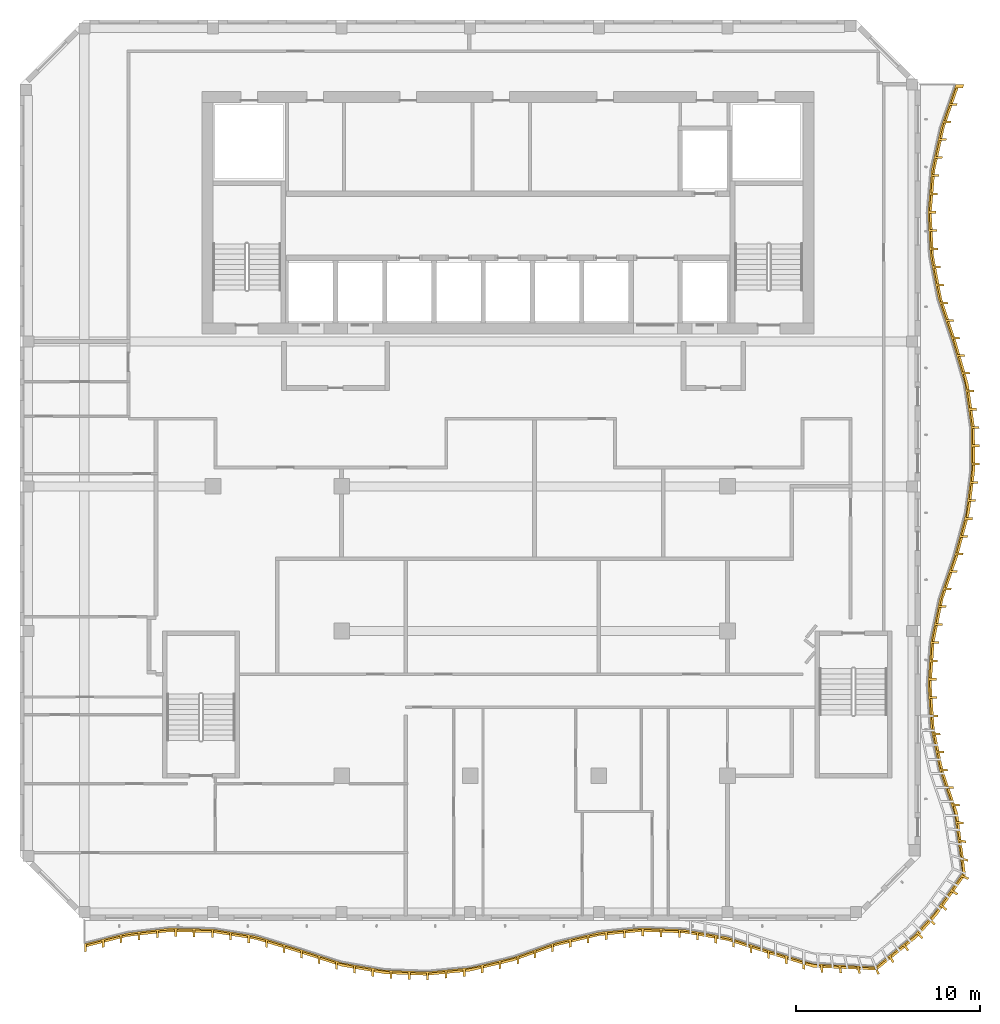
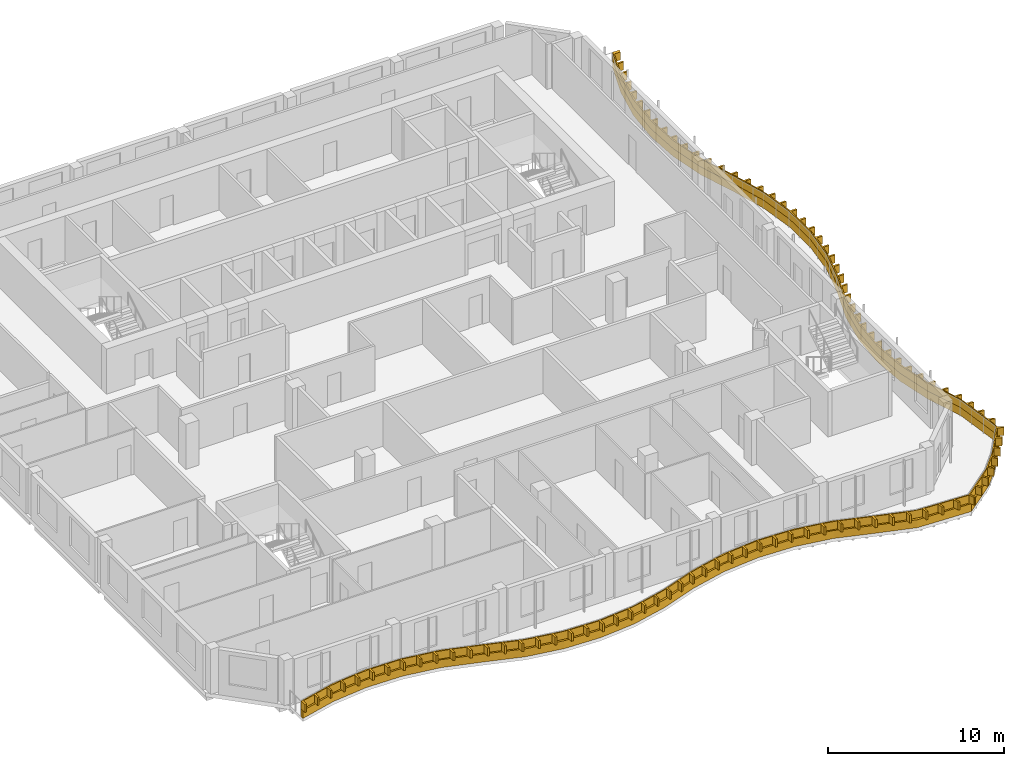
# One storey, part 12 of 17: 2 shading devices.
"""IFC4 building model written with IfcOpenShell, lengths in metres."""

import ifcopenshell
import ifcopenshell.guid

model = None  # the IFC model being written
_history = None  # IfcOwnerHistory: only IFC2X3 demands one
_inside = {}  # id of a spatial element -> (the spatial element, [elements in it])
_under = {}  # id of a project, library or spatial element -> (it, [spatial elements below it])
_declared = {}  # id of a project -> (the project, [libraries it declares])
_typed = {}  # id of a type object -> (the type object, [elements of that type])
_made_of = {}  # id of a material, layer set ... -> (it, [elements and type objects made of it])


def new_model(schema):
    """Start an empty IFC model of exactly this schema.

    Asked for "IFC4X3", IfcOpenShell would pick the latest addendum, in which some entities
    have other attributes; the version numbers below select the first issue.
    IFC2X3 requires an IfcOwnerHistory on every rooted entity: one is made here for all.
    """
    global model, _history
    if schema == "IFC4X3":
        model = ifcopenshell.file(schema_version=(4, 3, 0, 0))
    else:
        model = ifcopenshell.file(schema=schema)
    _inside.clear()
    _under.clear()
    _declared.clear()
    _typed.clear()
    _made_of.clear()
    _history = None
    if model.schema == "IFC2X3":
        org = make("IfcOrganization", Name="unknown")
        user = make(
            "IfcPersonAndOrganization",
            ThePerson=make("IfcPerson", FamilyName="unknown"),
            TheOrganization=org,
        )
        app = make(
            "IfcApplication",
            ApplicationDeveloper=org,
            Version="unknown",
            ApplicationFullName="unknown",
            ApplicationIdentifier="unknown",
        )
        _history = make(
            "IfcOwnerHistory",
            OwningUser=user,
            OwningApplication=app,
            ChangeAction="ADDED",
            CreationDate=0,
        )
    return model


def make(cls, **values):
    """One entity of the class cls with the attributes given. An attribute that is None is left unset."""
    return model.create_entity(
        cls, **{name: value for name, value in values.items() if value is not None}
    )


def rooted(cls, **values):
    """An entity with a GlobalId (a new one), such as an element, a storey or a relation."""
    return make(cls, GlobalId=ifcopenshell.guid.new(), OwnerHistory=_history, **values)


def si_unit(unit_type, name, prefix=None):
    """IfcSIUnit, for example si_unit("LENGTHUNIT", "METRE", prefix="MILLI")."""
    return make("IfcSIUnit", UnitType=unit_type, Prefix=prefix, Name=name)


def assignment(units):
    """IfcUnitAssignment: the units of a project."""
    return None if units is None else make("IfcUnitAssignment", Units=units)


def point(xyz):
    """IfcCartesianPoint."""
    return None if xyz is None else make("IfcCartesianPoint", Coordinates=xyz)


def direction(xyz):
    """IfcDirection."""
    return None if xyz is None else make("IfcDirection", DirectionRatios=xyz)


def frame(location, z_axis=None, x_axis=None):
    """IfcAxis2Placement3D, a coordinate frame: its origin and axes. An axis left out is left unset."""
    return make(
        "IfcAxis2Placement3D",
        Location=point(location),
        Axis=direction(z_axis),
        RefDirection=direction(x_axis),
    )


def origin():
    """The frame at (0, 0, 0) with its axes left unset."""
    return frame((0.0, 0.0, 0.0))


def place(relative_to, where):
    """IfcLocalPlacement: puts the frame where relative to a parent placement (None: the world)."""
    return make(
        "IfcLocalPlacement", PlacementRelTo=relative_to, RelativePlacement=where
    )


def context(
    kind, dimensions, precision=None, world=None, true_north=None, identifier=None
):
    """IfcGeometricRepresentationContext, for example the 3D "Model" context."""
    return make(
        "IfcGeometricRepresentationContext",
        ContextIdentifier=identifier,
        ContextType=kind,
        CoordinateSpaceDimension=dimensions,
        Precision=precision,
        WorldCoordinateSystem=world,
        TrueNorth=true_north,
    )


def subcontext(parent, identifier, kind, view, scale=None):
    """IfcGeometricRepresentationSubContext, for example "Body" below "Model"."""
    return make(
        "IfcGeometricRepresentationSubContext",
        ContextIdentifier=identifier,
        ContextType=kind,
        ParentContext=parent,
        TargetScale=scale,
        TargetView=view,
    )


def project(units=None, contexts=None):
    """IfcProject with its units and contexts."""
    return rooted(
        "IfcProject",
        Name="project",
        RepresentationContexts=contexts,
        UnitsInContext=assignment(units),
    )


def spatial(cls, under=None, at=None, **own):
    """A site, building, storey or space (cls), placed at a placement, below another one or the project."""
    s = rooted(cls, ObjectPlacement=at, **own)
    if under is not None:
        _under.setdefault(under.id(), (under, []))[1].append(s)
    return s


def polyline(points):
    """IfcPolyline through the points."""
    return make("IfcPolyline", Points=[point(p) for p in points])


def outline(outer, holes=None, kind="AREA"):
    """IfcArbitraryClosedProfileDef: a profile drawn as a closed curve; with holes, ...WithVoids."""
    if holes is None:
        return make("IfcArbitraryClosedProfileDef", ProfileType=kind, OuterCurve=outer)
    return make(
        "IfcArbitraryProfileDefWithVoids",
        ProfileType=kind,
        OuterCurve=outer,
        InnerCurves=holes,
    )


def extrude(swept, where, along, depth):
    """IfcExtrudedAreaSolid: the profile swept, set in the frame where, extruded along a direction by depth."""
    return make(
        "IfcExtrudedAreaSolid",
        SweptArea=swept,
        Position=where,
        ExtrudedDirection=direction(along),
        Depth=depth,
    )


def shape(context_of_items, identifier, shape_type, items):
    """IfcShapeRepresentation: the items that make up one representation, for example the "Body"."""
    return make(
        "IfcShapeRepresentation",
        ContextOfItems=context_of_items,
        RepresentationIdentifier=identifier,
        RepresentationType=shape_type,
        Items=items,
    )


def source(mapping_origin, context_of_items, identifier, shape_type, items):
    """IfcRepresentationMap: a shape defined once, which mapped items show again and again."""
    return make(
        "IfcRepresentationMap",
        MappingOrigin=mapping_origin,
        MappedRepresentation=shape(context_of_items, identifier, shape_type, items),
    )


def transform(
    local_origin,
    x_axis=None,
    y_axis=None,
    z_axis=None,
    scale=None,
    scale2=None,
    scale3=None,
    uniform=True,
):
    """IfcCartesianTransformationOperator3D, or its non-uniform kind. x_axis, y_axis, z_axis: its Axis1, 2, 3."""
    if uniform:
        return make(
            "IfcCartesianTransformationOperator3D",
            Axis1=direction(x_axis),
            Axis2=direction(y_axis),
            LocalOrigin=point(local_origin),
            Scale=scale,
            Axis3=direction(z_axis),
        )
    return make(
        "IfcCartesianTransformationOperator3DnonUniform",
        Axis1=direction(x_axis),
        Axis2=direction(y_axis),
        LocalOrigin=point(local_origin),
        Scale=scale,
        Axis3=direction(z_axis),
        Scale2=scale2,
        Scale3=scale3,
    )


def mapped(mapping_source, mapping_target):
    """IfcMappedItem: shows the shape of a source again, moved by a transform."""
    return make(
        "IfcMappedItem", MappingSource=mapping_source, MappingTarget=mapping_target
    )


def material(Name=None, Category=None):
    """IfcMaterial."""
    return make("IfcMaterial", Name=Name, Category=Category)


def layer(
    of_material, thickness, ventilated=None, Name=None, Category=None, Priority=None
):
    """IfcMaterialLayer: one layer of a wall or slab, of a material (None: an air gap)."""
    return make(
        "IfcMaterialLayer",
        Material=of_material,
        LayerThickness=thickness,
        IsVentilated=ventilated,
        Name=Name,
        Category=Category,
        Priority=Priority,
    )


def layer_set(layers, Name=None):
    """IfcMaterialLayerSet."""
    return make("IfcMaterialLayerSet", MaterialLayers=layers, LayerSetName=Name)


def made_of(thing, what):
    """Note that an element or type object is made of a material, layer set ...; save() writes the relation."""
    if what is not None:
        _made_of.setdefault(what.id(), (what, []))[1].append(thing)
    return thing


def type_object(cls, material=None, **own):
    """A type object (cls), such as IfcWallType, which elements share."""
    return made_of(rooted(cls, **own), material)


def element(
    cls,
    number,
    at=None,
    inside=None,
    cuts=None,
    type_object=None,
    material=None,
    context=None,
    identifier="Body",
    shape_type=None,
    held_by="IfcProductDefinitionShape",
    body=None,
    shapes=None,
    **own,
):
    """One element of the class cls, such as IfcWall. Its Tag is "e" and its number.

    at: its placement. inside: the storey or other place that contains it. cuts: it is an
    opening in that element (IfcRelVoidsElement). A single representation is given by context,
    identifier, shape_type and body (its items); several are given by shapes. held_by: the class
    of the entity that holds the representations. save() writes the other relations.
    """
    e = rooted(cls, Tag="e%d" % number, ObjectPlacement=at, **own)
    if body is not None:
        shapes = [shape(context, identifier, shape_type, body)]
    if shapes is not None:
        e.Representation = make(held_by, Representations=shapes)
    if inside is not None:
        _inside.setdefault(inside.id(), (inside, []))[1].append(e)
    if cuts is not None:
        rooted(
            "IfcRelVoidsElement", RelatingBuildingElement=cuts, RelatedOpeningElement=e
        )
    if type_object is not None:
        _typed.setdefault(type_object.id(), (type_object, []))[1].append(e)
    return made_of(e, material)


def aggregate(whole, parts):
    """IfcRelAggregates: a whole, such as a stair, and the parts it consists of."""
    return rooted("IfcRelAggregates", RelatingObject=whole, RelatedObjects=parts)


def save(model, path):
    """Write the relations noted so far, then the file.

    IfcRelAggregates (storeys below a building ...), IfcRelContainedInSpatialStructure (elements
    in a storey), IfcRelDefinesByType, IfcRelAssociatesMaterial and IfcRelDeclares: one each for
    every whole, place, type object, material and project.
    """
    for whole, parts in _under.values():
        aggregate(whole, parts)
    for where, things in _inside.values():
        rooted(
            "IfcRelContainedInSpatialStructure",
            RelatedElements=things,
            RelatingStructure=where,
        )
    for kind, things in _typed.values():
        rooted("IfcRelDefinesByType", RelatedObjects=things, RelatingType=kind)
    for what, things in _made_of.values():
        rooted("IfcRelAssociatesMaterial", RelatedObjects=things, RelatingMaterial=what)
    for by, libraries in _declared.values():
        rooted("IfcRelDeclares", RelatingContext=by, RelatedDefinitions=libraries)
    model.write(path)


model = new_model("IFC4")

# Units and contexts
model_context = context("Model", 3, precision=1e-05, world=origin(), true_north=direction((0.0, 1.0)))
body_context = subcontext(model_context, "Body", "Model", "MODEL_VIEW")
ifc_project = project(units=[si_unit("LENGTHUNIT", "METRE"), si_unit("AREAUNIT", "SQUARE_METRE"), si_unit("VOLUMEUNIT", "CUBIC_METRE"), si_unit("PLANEANGLEUNIT", "RADIAN"), si_unit("MASSUNIT", "GRAM", prefix="KILO")], contexts=[model_context])

# Site, building, storey
site_placement = place(None, origin())
site = spatial("IfcSite", under=ifc_project, at=site_placement, CompositionType="ELEMENT")
building_placement = place(site_placement, origin())
building = spatial("IfcBuilding", under=site, at=building_placement, Name="Kilnfold Tower and Market Hall", CompositionType="ELEMENT")
storey_placement = place(building_placement, frame((0.0, 0.0, 308.60009765625)))
storey = spatial("IfcBuildingStorey", under=building, at=storey_placement, Name="L77", CompositionType="ELEMENT", Elevation=308.60009765625)

# Shading devices
ifc_material_1 = material(Name="Precast concrete C50/60", Category="concrete")
ifc_layer_1 = layer(ifc_material_1, 0.550048828125)
ifc_layer_set_1 = layer_set([ifc_layer_1], Name="Precast concrete C50/60")
shading_device_type_1 = type_object("IfcShadingDeviceType", Name="BALCONY UPSTAND 550", PredefinedType="USERDEFINED", material=ifc_layer_set_1)
shared_shape_1 = source(origin(), body_context, "Body", "SweptSolid", [
    extrude(outline(polyline([(-22.0, -24.97314453125), (-19.666748046875, -24.38037109375), (-17.333251953125, -24.117431640625), (-15.0, -24.16943359375), (-12.666748046875, -24.539306640625), (-10.333251953125, -25.24853515625), (-8.0, -25.997802734375), (-5.666748046875, -26.40478515625), (-3.333251953125, -26.492431640625), (-1.0, -26.265869140625), (1.333251953125, -25.7119140625), (3.666748046875, -24.89208984375), (6.0, -24.33642578125), (8.333251953125, -24.10791015625), (10.666748046875, -24.19384765625), (13.0, -24.59912109375), (15.333251953125, -25.346435546875), (17.666748046875, -26.0576171875), (21.12109375, -26.206298828125), (23.287841796875, -24.45458984375), (24.3935546875, -23.226806640625), (25.96533203125, -21.021240234375), (25.535400390625, -17.666748046875), (24.734375, -15.333251953125), (24.255859375, -13.0), (24.10009765625, -10.666748046875), (24.25830078125, -8.333251953125), (24.7392578125, -6.0), (25.54150390625, -3.666748046875), (26.171875, -1.333251953125), (26.469482421875, 1.0), (26.451416015625, 3.333251953125), (26.116455078125, 5.666748046875), (25.44580078125, 8.0), (24.666259765625, 10.333251953125), (24.2236328125, 12.666748046875), (24.10205078125, 15.0), (24.294189453125, 17.333251953125), (24.8115234375, 19.666748046875), (25.626953125, 22.0), (25.427001953125, 22.0), (24.611572265625, 19.666748046875), (24.09423828125, 17.333251953125), (23.902099609375, 15.0), (24.023681640625, 12.666748046875), (24.46630859375, 10.333251953125), (25.24560546875, 8.0), (25.91650390625, 5.666748046875), (26.251220703125, 3.333251953125), (26.269287109375, 1.0), (25.971923828125, -1.333251953125), (25.341552734375, -3.666748046875), (24.539306640625, -6.0), (24.05810546875, -8.333251953125), (23.89990234375, -10.666748046875), (24.055908203125, -13.0), (24.5341796875, -15.333251953125), (25.33544921875, -17.666748046875), (25.780517578125, -20.944580078125), (24.252197265625, -23.08544921875), (23.146484375, -24.31298828125), (21.04443359375, -26.021484375), (17.666748046875, -25.857666015625), (15.333251953125, -25.146484375), (13.0, -24.399169921875), (10.666748046875, -23.993896484375), (8.333251953125, -23.907958984375), (6.0, -24.136474609375), (3.666748046875, -24.692138671875), (1.333251953125, -25.511962890625), (-1.0, -26.06591796875), (-3.333251953125, -26.29248046875), (-5.666748046875, -26.20458984375), (-8.0, -25.797607421875), (-10.333251953125, -25.048583984375), (-12.666748046875, -24.33935546875), (-15.0, -23.969482421875), (-17.333251953125, -23.91748046875), (-19.666748046875, -24.180419921875), (-22.0, -24.773193359375), (-22.0, -24.97314453125)])), origin(), (0.0, 0.0, 1.0), 0.5498046875),
])
shading_device_1_placement = place(storey_placement, origin())
element("IfcShadingDevice", 1, at=shading_device_1_placement, inside=storey, type_object=shading_device_type_1, Name="Balcony fascia L77", ObjectType="FASCIA", PredefinedType="USERDEFINED", context=body_context, shape_type="MappedRepresentation", body=[
    mapped(shared_shape_1, transform((0.0, 0.0, 0.0))),
])
ifc_material_2 = material(Name="Bronze anodised aluminium", Category="aluminium")
ifc_layer_2 = layer(ifc_material_2, 0.550048828125)
ifc_layer_set_2 = layer_set([ifc_layer_2], Name="Bronze anodised aluminium")
shading_device_type_2 = type_object("IfcShadingDeviceType", Name="BRONZE SLAT FASCIA 550", PredefinedType="USERDEFINED", material=ifc_layer_set_2)
shared_shape_2 = source(origin(), body_context, "Body", "SweptSolid", [
    extrude(outline(polyline([(-22.0, -25.22314453125), (-22.0, -24.773193359375), (-19.666748046875, -24.180419921875), (-17.333251953125, -23.91748046875), (-15.0, -23.969482421875), (-12.666748046875, -24.33935546875), (-10.333251953125, -25.048583984375), (-8.0, -25.797607421875), (-5.666748046875, -26.20458984375), (-3.333251953125, -26.29248046875), (-1.0, -26.06591796875), (1.333251953125, -25.511962890625), (3.666748046875, -24.692138671875), (6.0, -24.136474609375), (8.333251953125, -23.907958984375), (10.666748046875, -23.993896484375), (13.0, -24.399169921875), (15.333251953125, -25.146484375), (17.666748046875, -25.857666015625), (21.04443359375, -26.021484375), (23.146484375, -24.31298828125), (24.252197265625, -23.08544921875), (25.780517578125, -20.944580078125), (25.33544921875, -17.666748046875), (24.5341796875, -15.333251953125), (24.055908203125, -13.0), (23.89990234375, -10.666748046875), (24.05810546875, -8.333251953125), (24.539306640625, -6.0), (25.341552734375, -3.666748046875), (25.971923828125, -1.333251953125), (26.269287109375, 1.0), (26.251220703125, 3.333251953125), (25.91650390625, 5.666748046875), (25.24560546875, 8.0), (24.46630859375, 10.333251953125), (24.023681640625, 12.666748046875), (23.902099609375, 15.0), (24.09423828125, 17.333251953125), (24.611572265625, 19.666748046875), (25.427001953125, 22.0), (25.876953125, 22.0), (25.80419921875, 21.79150390625), (25.43408203125, 21.79150390625), (25.143798828125, 20.960693359375), (25.513916015625, 20.960693359375), (25.47412109375, 20.84765625), (25.104248046875, 20.84765625), (24.81396484375, 20.016845703125), (25.183837890625, 20.016845703125), (25.144287109375, 19.903564453125), (24.7744140625, 19.903564453125), (24.555419921875, 19.052490234375), (24.92529296875, 19.052490234375), (24.8994140625, 18.935302734375), (24.529541015625, 18.935302734375), (24.339111328125, 18.076171875), (24.708984375, 18.076171875), (24.68310546875, 17.958984375), (24.31298828125, 17.958984375), (24.15478515625, 17.094970703125), (24.524658203125, 17.094970703125), (24.514892578125, 16.975341796875), (24.144775390625, 16.975341796875), (24.072509765625, 16.098388671875), (24.4423828125, 16.098388671875), (24.4326171875, 15.978759765625), (24.062744140625, 15.978759765625), (23.990478515625, 15.101806640625), (24.3603515625, 15.101806640625), (24.352783203125, 14.982177734375), (23.98291015625, 14.982177734375), (24.02880859375, 14.103515625), (24.398681640625, 14.103515625), (24.405029296875, 13.9833984375), (24.034912109375, 13.9833984375), (24.080810546875, 13.104736328125), (24.450927734375, 13.104736328125), (24.45703125, 12.98486328125), (24.087158203125, 12.98486328125), (24.208251953125, 12.114990234375), (24.578369140625, 12.114990234375), (24.6005859375, 11.997314453125), (24.230712890625, 11.997314453125), (24.394775390625, 11.1328125), (24.7646484375, 11.1328125), (24.787109375, 11.014892578125), (24.4169921875, 11.014892578125), (24.60546875, 10.156494140625), (24.975341796875, 10.156494140625), (25.013427734375, 10.042724609375), (24.643310546875, 10.042724609375), (24.922119140625, 9.2080078125), (25.292236328125, 9.2080078125), (25.330078125, 9.09423828125), (24.960205078125, 9.09423828125), (25.239013671875, 8.259521484375), (25.60888671875, 8.259521484375), (25.64697265625, 8.145751953125), (25.277099609375, 8.145751953125), (25.5263671875, 7.302001953125), (25.896484375, 7.302001953125), (25.929443359375, 7.1865234375), (25.5595703125, 7.1865234375), (25.802734375, 6.3408203125), (26.172607421875, 6.3408203125), (26.205810546875, 6.2255859375), (25.835693359375, 6.2255859375), (26.038818359375, 5.37109375), (26.408935546875, 5.37109375), (26.42578125, 5.25244140625), (26.055908203125, 5.25244140625), (26.180908203125, 4.38134765625), (26.55078125, 4.38134765625), (26.568115234375, 4.262451171875), (26.197998046875, 4.262451171875), (26.322998046875, 3.3916015625), (26.693115234375, 3.3916015625), (26.701416015625, 3.333251953125), (26.701904296875, 3.272216796875), (26.331787109375, 3.272216796875), (26.338623046875, 2.39208984375), (26.70849609375, 2.39208984375), (26.70947265625, 2.272216796875), (26.339599609375, 2.272216796875), (26.346435546875, 1.39208984375), (26.71630859375, 1.39208984375), (26.71728515625, 1.272216796875), (26.347412109375, 1.272216796875), (26.2724609375, 0.39697265625), (26.642578125, 0.39697265625), (26.627197265625, 0.278076171875), (26.25732421875, 0.278076171875), (26.14599609375, -0.594970703125), (26.51611328125, -0.594970703125), (26.5009765625, -0.714111328125), (26.130859375, -0.714111328125), (25.985107421875, -1.580078125), (26.355224609375, -1.580078125), (26.323974609375, -1.696044921875), (25.953857421875, -1.696044921875), (25.724365234375, -2.54541015625), (26.094482421875, -2.54541015625), (26.063232421875, -2.661376953125), (25.693115234375, -2.661376953125), (25.463623046875, -3.510986328125), (25.833740234375, -3.510986328125), (25.802490234375, -3.626708984375), (25.432373046875, -3.626708984375), (25.14892578125, -4.459716796875), (25.518798828125, -4.459716796875), (25.479736328125, -4.5732421875), (25.10986328125, -4.5732421875), (24.82373046875, -5.405517578125), (25.193603515625, -5.405517578125), (25.154541015625, -5.518798828125), (24.78466796875, -5.518798828125), (24.544189453125, -6.363525390625), (24.914306640625, -6.363525390625), (24.889892578125, -6.481201171875), (24.52001953125, -6.481201171875), (24.34228515625, -7.343017578125), (24.71240234375, -7.343017578125), (24.68798828125, -7.46044921875), (24.318115234375, -7.46044921875), (24.140380859375, -8.322509765625), (24.510498046875, -8.322509765625), (24.500732421875, -8.44189453125), (24.130859375, -8.44189453125), (24.0712890625, -9.31982421875), (24.44140625, -9.31982421875), (24.43310546875, -9.439697265625), (24.063232421875, -9.439697265625), (24.003662109375, -10.317626953125), (24.373779296875, -10.317626953125), (24.365478515625, -10.437255859375), (23.99560546875, -10.437255859375), (24.023193359375, -11.3154296875), (24.393310546875, -11.3154296875), (24.4013671875, -11.43505859375), (24.03125, -11.43505859375), (24.08984375, -12.313232421875), (24.4599609375, -12.313232421875), (24.468017578125, -12.432861328125), (24.097900390625, -12.432861328125), (24.198486328125, -13.305419921875), (24.568359375, -13.305419921875), (24.592529296875, -13.4228515625), (24.222412109375, -13.4228515625), (24.3994140625, -14.284912109375), (24.769287109375, -14.284912109375), (24.79345703125, -14.40234375), (24.42333984375, -14.40234375), (24.60009765625, -15.264404296875), (24.97021484375, -15.264404296875), (25.00048828125, -15.38037109375), (24.630615234375, -15.38037109375), (24.916259765625, -16.212646484375), (25.2861328125, -16.212646484375), (25.3251953125, -16.326171875), (24.955078125, -16.326171875), (25.240966796875, -17.158447265625), (25.611083984375, -17.158447265625), (25.64990234375, -17.27197265625), (25.280029296875, -17.27197265625), (25.474609375, -18.119384765625), (25.841796875, -18.138671875), (25.856201171875, -18.260986328125), (25.48974609375, -18.236572265625), (25.60302734375, -19.09716796875), (25.963134765625, -19.158935546875), (25.977783203125, -19.28125), (25.61865234375, -19.214599609375), (25.7333984375, -20.075439453125), (26.084716796875, -20.178955078125), (26.09912109375, -20.301513671875), (25.7490234375, -20.19287109375), (25.80810546875, -21.039794921875), (26.147705078125, -21.18505859375), (26.07568359375, -21.286376953125), (25.7392578125, -21.135498046875), (25.235595703125, -21.838623046875), (25.547607421875, -22.029296875), (25.4755859375, -22.130615234375), (25.167236328125, -21.9345703125), (24.66552734375, -22.638916015625), (24.947021484375, -22.873779296875), (24.875, -22.97509765625), (24.597412109375, -22.735107421875), (24.0595703125, -23.418701171875), (24.3212890625, -23.680419921875), (24.240966796875, -23.76953125), (23.979248046875, -23.5078125), (23.390380859375, -24.16162109375), (23.65185546875, -24.42333984375), (23.571533203125, -24.5126953125), (23.31005859375, -24.2509765625), (22.65185546875, -24.814453125), (22.8837890625, -25.09814453125), (22.786865234375, -25.17578125), (22.560302734375, -24.888427734375), (21.88818359375, -25.43310546875), (22.076904296875, -25.746337890625), (21.97998046875, -25.82421875), (21.796630859375, -25.507568359375), (21.12548828125, -26.05419921875), (21.270263671875, -26.394287109375), (21.216796875, -26.4375), (21.16162109375, -26.435302734375), (21.022216796875, -26.093017578125), (20.154052734375, -26.05126953125), (20.258056640625, -26.40234375), (20.134765625, -26.39794921875), (20.035888671875, -26.045654296875), (19.16845703125, -26.0048828125), (19.231201171875, -26.364990234375), (19.10791015625, -26.3603515625), (19.05029296875, -25.99951171875), (18.18310546875, -25.96044921875), (18.20458984375, -26.327392578125), (18.081298828125, -26.32275390625), (18.064697265625, -25.955078125), (17.211181640625, -25.798828125), (17.211181640625, -26.168701171875), (17.096435546875, -26.1337890625), (17.096435546875, -25.763916015625), (16.254638671875, -25.50732421875), (16.254638671875, -25.877197265625), (16.139892578125, -25.84228515625), (16.139892578125, -25.472412109375), (15.29833984375, -25.215087890625), (15.29833984375, -25.585205078125), (15.18408203125, -25.548583984375), (15.18408203125, -25.1787109375), (14.345947265625, -24.91015625), (14.345947265625, -25.2802734375), (14.231689453125, -25.24365234375), (14.231689453125, -24.87353515625), (13.3935546875, -24.60498046875), (13.3935546875, -24.97509765625), (13.279296875, -24.9384765625), (13.279296875, -24.568603515625), (12.421875, -24.378662109375), (12.421875, -24.748779296875), (12.3037109375, -24.728271484375), (12.3037109375, -24.358154296875), (11.436767578125, -24.20751953125), (11.436767578125, -24.57763671875), (11.318359375, -24.55712890625), (11.318359375, -24.18701171875), (10.4482421875, -24.06591796875), (10.4482421875, -24.435791015625), (10.328369140625, -24.431396484375), (10.328369140625, -24.061279296875), (9.448974609375, -24.029052734375), (9.448974609375, -24.399169921875), (9.3291015625, -24.394775390625), (9.3291015625, -24.024658203125), (8.44970703125, -23.9921875), (8.44970703125, -24.3623046875), (8.329833984375, -24.3583984375), (8.329833984375, -23.98828125), (7.4541015625, -24.07421875), (7.4541015625, -24.444091796875), (7.33447265625, -24.455810546875), (7.33447265625, -24.085693359375), (6.458740234375, -24.17138671875), (6.458740234375, -24.54150390625), (6.33935546875, -24.55322265625), (6.33935546875, -24.18310546875), (5.4755859375, -24.34130859375), (5.4755859375, -24.711181640625), (5.35888671875, -24.739013671875), (5.35888671875, -24.369140625), (4.502685546875, -24.572998046875), (4.502685546875, -24.943115234375), (4.385986328125, -24.970703125), (4.385986328125, -24.600830078125), (3.5341796875, -24.81884765625), (3.5341796875, -25.188720703125), (3.4208984375, -25.228515625), (3.4208984375, -24.8583984375), (2.5908203125, -25.150146484375), (2.5908203125, -25.520263671875), (2.477294921875, -25.56005859375), (2.477294921875, -25.18994140625), (1.647216796875, -25.481689453125), (1.647216796875, -25.8515625), (1.533935546875, -25.891357421875), (1.533935546875, -25.521484375), (0.68408203125, -25.74609375), (0.68408203125, -26.115966796875), (0.5673828125, -26.143798828125), (0.5673828125, -25.773681640625), (-0.288818359375, -25.97705078125), (-0.288818359375, -26.346923828125), (-0.40576171875, -26.374755859375), (-0.40576171875, -26.004638671875), (-1.267822265625, -26.171875), (-1.267822265625, -26.541748046875), (-1.387451171875, -26.553466796875), (-1.387451171875, -26.183349609375), (-2.26318359375, -26.2685546875), (-2.26318359375, -26.638427734375), (-2.3828125, -26.650146484375), (-2.3828125, -26.280029296875), (-3.258544921875, -26.364990234375), (-3.258544921875, -26.735107421875), (-3.333251953125, -26.742431640625), (-3.378173828125, -26.74072265625), (-3.378173828125, -26.37060546875), (-4.257568359375, -26.337646484375), (-4.257568359375, -26.707763671875), (-4.37744140625, -26.703125), (-4.37744140625, -26.333251953125), (-5.2568359375, -26.300048828125), (-5.2568359375, -26.670166015625), (-5.376708984375, -26.66552734375), (-5.376708984375, -26.295654296875), (-6.247802734375, -26.183349609375), (-6.247802734375, -26.55322265625), (-6.365966796875, -26.53271484375), (-6.365966796875, -26.16259765625), (-7.23291015625, -26.011474609375), (-7.23291015625, -26.381591796875), (-7.35107421875, -26.36083984375), (-7.35107421875, -25.990966796875), (-8.210693359375, -25.81005859375), (-8.210693359375, -26.179931640625), (-8.324951171875, -26.143310546875), (-8.324951171875, -25.7734375), (-9.162841796875, -25.50439453125), (-9.162841796875, -25.87451171875), (-9.277099609375, -25.837646484375), (-9.277099609375, -25.4677734375), (-10.114990234375, -25.19873046875), (-10.114990234375, -25.568603515625), (-10.229248046875, -25.531982421875), (-10.229248046875, -25.162109375), (-11.07080078125, -24.904296875), (-11.07080078125, -25.2744140625), (-11.185546875, -25.239501953125), (-11.185546875, -24.869384765625), (-12.027587890625, -24.613525390625), (-12.027587890625, -24.983642578125), (-12.142333984375, -24.94873046875), (-12.142333984375, -24.57861328125), (-12.994384765625, -24.3671875), (-12.994384765625, -24.7373046875), (-13.113037109375, -24.718505859375), (-13.113037109375, -24.3486328125), (-13.982177734375, -24.210693359375), (-13.982177734375, -24.580810546875), (-14.1005859375, -24.56201171875), (-14.1005859375, -24.19189453125), (-14.9697265625, -24.05419921875), (-14.9697265625, -24.42431640625), (-15.08935546875, -24.41748046875), (-15.08935546875, -24.047607421875), (-15.96923828125, -24.02783203125), (-15.96923828125, -24.39794921875), (-16.089111328125, -24.395263671875), (-16.089111328125, -24.025146484375), (-16.968994140625, -24.005615234375), (-16.968994140625, -24.37548828125), (-17.089111328125, -24.372802734375), (-17.089111328125, -24.0029296875), (-17.96484375, -24.068603515625), (-17.96484375, -24.438720703125), (-18.083984375, -24.451904296875), (-18.083984375, -24.08203125), (-18.95849609375, -24.180419921875), (-18.95849609375, -24.550537109375), (-19.077880859375, -24.56396484375), (-19.077880859375, -24.194091796875), (-19.9453125, -24.3310546875), (-19.9453125, -24.701171875), (-20.0615234375, -24.730712890625), (-20.0615234375, -24.360595703125), (-20.91455078125, -24.577392578125), (-20.91455078125, -24.947265625), (-21.03076171875, -24.976806640625), (-21.03076171875, -24.60693359375), (-21.8837890625, -24.823486328125), (-21.8837890625, -25.193603515625), (-22.0, -25.22314453125)])), origin(), (0.0, 0.0, 1.0), 0.550048828125),
])
shading_device_2_placement = place(storey_placement, frame((0.0, 0.0, 0.5498046875)))
element("IfcShadingDevice", 2, at=shading_device_2_placement, inside=storey, type_object=shading_device_type_2, Name="Balcony slat fascia L77", ObjectType="SLAT", PredefinedType="USERDEFINED", context=body_context, shape_type="MappedRepresentation", body=[
    mapped(shared_shape_2, transform((0.0, 0.0, 0.0))),
])

save(model, "model.ifc")
